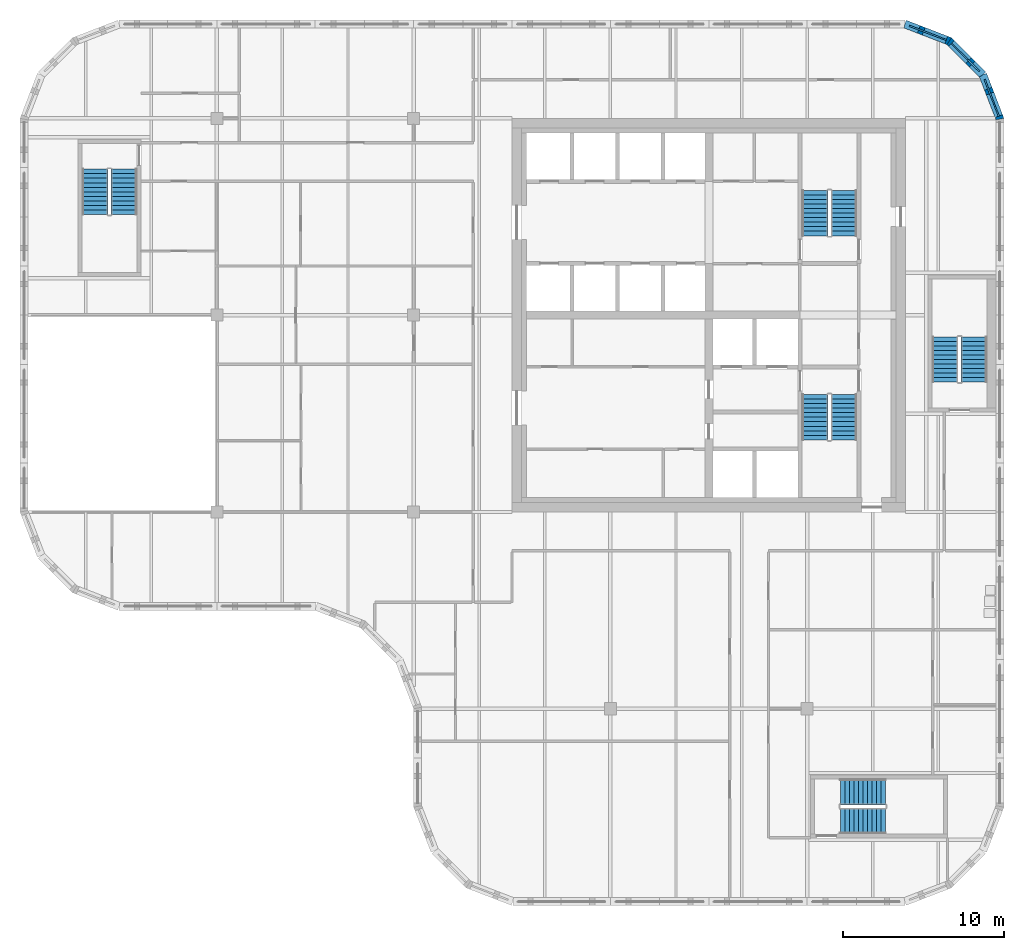
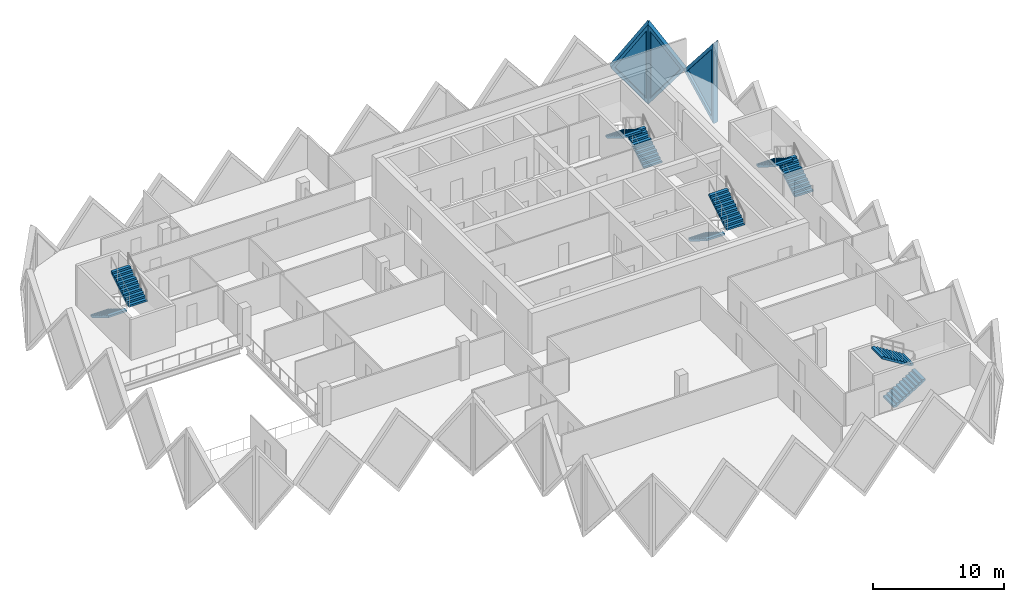
# One storey, part 10 of 12: 10 stair flights, 3 plates, 3 walls, 3 openings, 5 elements without a shape of their own.
"""IFC4 building model written with IfcOpenShell, lengths in metres."""

from ifc_helpers import new_model, si_unit, direction, frame, origin, place, context, subcontext, project, spatial, polyline, outline, extrude, faceted_brep, source, transform, mapped, material, layer, layer_set, type_object, element, fill, aggregate, save


model = new_model("IFC4")

# Units and contexts
model_context = context("Model", 3, precision=1e-05, world=origin(), true_north=direction((0.0, 1.0)))
body_context = subcontext(model_context, "Body", "Model", "MODEL_VIEW")
ifc_project = project(units=[si_unit("LENGTHUNIT", "METRE"), si_unit("AREAUNIT", "SQUARE_METRE"), si_unit("VOLUMEUNIT", "CUBIC_METRE"), si_unit("PLANEANGLEUNIT", "RADIAN"), si_unit("MASSUNIT", "GRAM", prefix="KILO")], contexts=[model_context])

# Site, building, storey
site_placement = place(None, origin())
site = spatial("IfcSite", under=ifc_project, at=site_placement, CompositionType="ELEMENT")
building_placement = place(site_placement, origin())
building = spatial("IfcBuilding", under=site, at=building_placement, Name="Tessera Gate Towers", CompositionType="ELEMENT")
storey_placement = place(building_placement, frame((0.0, 0.0, 182.0)))
storey = spatial("IfcBuildingStorey", under=building, at=storey_placement, Name="L45", CompositionType="ELEMENT", Elevation=182.0)

# Wall, opening, plate
ifc_material_1 = material(Name="Precast concrete C60/75 white", Category="concrete")
ifc_layer_1 = layer(ifc_material_1, 0.5)
ifc_layer_set_1 = layer_set([ifc_layer_1], Name="TS3 corner tessera")
wall_type = type_object("IfcWallType", Name="TS3 corner tessera", PredefinedType="SOLIDWALL", material=ifc_layer_set_1)
shared_shape_1 = source(origin(), body_context, "Body", "Brep", [
    faceted_brep([(0.046630859375, -0.25, 0.0), (2.9970703125, -0.25, 3.800048828125), (0.046630859375, -0.25, 7.60009765625), (0.0, -0.25, 7.541259765625), (0.0, -0.25, 0.058837890625), (0.09326171875, 0.25, 7.5400390625), (2.9443359375, 0.25, 3.8681640625), (2.9443359375, 0.25, 3.73193359375), (0.09326171875, 0.25, 0.06005859375), (2.9970703125, 0.00048828125, 3.800048828125), (0.046630859375, 0.0, 0.0), (0.046630859375, 0.0, 7.60009765625)], [[[0, 1, 2, 3, 4]], [[5, 6, 7, 8]], [[8, 7, 9, 1, 0, 10]], [[6, 5, 11, 2, 1, 9]], [[3, 2, 11]], [[10, 0, 4]], [[8, 10, 4, 3, 11, 5]], [[9, 7, 6]]]),
])
wall_1_placement = place(storey_placement, frame((60.766845703125, 48.7099609375, -3.800048828125), z_axis=(0.0, 0.0, 1.0), x_axis=(-0.359901446078, 0.932990326376, 0.0)))
wall_1 = element("IfcWall", 1, at=wall_1_placement, inside=storey, type_object=wall_type, Name="Precast corner tessera T1 TS3-1038", PredefinedType="SOLIDWALL", context=body_context, shape_type="MappedRepresentation", body=[
    mapped(shared_shape_1, transform((0.0, 0.0, 0.0), scale=1.0)),
])
shared_shape_2 = source(origin(), body_context, "Body", "SweptSolid", [
    extrude(outline(polyline([(0.24658203125, 0.665283203125), (2.6806640625, 3.800048828125), (0.24658203125, 6.934814453125), (0.24658203125, 0.665283203125)])), frame((0.0, 0.260009765625, 0.0), z_axis=(0.0, -1.0, 0.0), x_axis=(1.0, 0.0, 0.0)), (0.0, 0.0, 1.0), 0.52001953125),
])
opening_1_placement = place(wall_1_placement, origin())
opening_1 = element("IfcOpeningElement", 2, at=opening_1_placement, cuts=wall_1, Name="Opening T1-PL2-1613", PredefinedType="OPENING", context=body_context, shape_type="MappedRepresentation", body=[
    mapped(shared_shape_2, transform((0.0, 0.0, 0.0), scale=1.0)),
])
ifc_material_2 = material(Name="Low-e laminated glass", Category="glass")
ifc_layer_2 = layer(ifc_material_2, 0.06005859375)
ifc_layer_set_2 = layer_set([ifc_layer_2], Name="PL2 rhombic pane")
plate_type = type_object("IfcPlateType", Name="PL2 rhombic pane", PredefinedType="SHEET", material=ifc_layer_set_2)
shared_shape_3 = source(origin(), body_context, "Body", "SweptSolid", [
    extrude(outline(polyline([(0.24658203125, 0.665283203125), (2.6806640625, 3.800048828125), (0.24658203125, 6.934814453125), (0.24658203125, 0.665283203125)])), frame((0.0, 0.030029296875, 0.0), z_axis=(0.0, -1.0, 0.0), x_axis=(1.0, 0.0, 0.0)), (0.0, 0.0, 1.0), 0.06005859375),
])
plate_1_placement = place(opening_1_placement, origin())
plate_1 = element("IfcPlate", 3, at=plate_1_placement, inside=storey, type_object=plate_type, Name="Glass pane T1 PL2-1613", PredefinedType="SHEET", context=body_context, shape_type="MappedRepresentation", body=[
    mapped(shared_shape_3, transform((0.0, 0.0, 0.0), scale=1.0)),
])
fill(opening_1, plate_1)

shared_shape_4 = source(origin(), body_context, "Body", "Brep", [
    faceted_brep([(2.944091796875, -0.25, 0.0), (2.9970703125, -0.25, 0.068115234375), (2.9970703125, -0.25, 7.531982421875), (2.944091796875, -0.25, 7.60009765625), (0.0, -0.25, 3.800048828125), (0.052978515625, 0.25, 3.868408203125), (2.89111328125, 0.25, 7.531982421875), (2.89111328125, 0.25, 0.068115234375), (0.052978515625, 0.25, 3.731689453125), (2.944091796875, 0.000244140625, 0.0), (2.944091796875, 0.000244140625, 7.60009765625), (0.0, 0.0, 3.800048828125)], [[[0, 1, 2, 3, 4]], [[5, 6, 7, 8]], [[1, 0, 9]], [[10, 3, 2]], [[6, 5, 11, 4, 3, 10]], [[8, 7, 9, 0, 4, 11]], [[8, 11, 5]], [[1, 9, 7, 6, 10, 2]]]),
])
wall_2_placement = place(storey_placement, frame((59.68798828125, 51.50634765625, -3.800048828125), z_axis=(0.0, 0.0, 1.0), x_axis=(-0.707106781187, 0.707106781187, 0.0)))
wall_2 = element("IfcWall", 4, at=wall_2_placement, inside=storey, type_object=wall_type, Name="Precast corner tessera T1 TS3-1039", PredefinedType="SOLIDWALL", context=body_context, shape_type="MappedRepresentation", body=[
    mapped(shared_shape_4, transform((0.0, 0.0, 0.0), scale=1.0)),
])
shared_shape_5 = source(origin(), body_context, "Body", "SweptSolid", [
    extrude(outline(polyline([(2.744140625, 6.933837890625), (0.316162109375, 3.800048828125), (2.744140625, 0.666259765625), (2.744140625, 6.933837890625)])), frame((0.0, 0.260009765625, 0.0), z_axis=(0.0, -1.0, 0.0), x_axis=(1.0, 0.0, 0.0)), (0.0, 0.0, 1.0), 0.52001953125),
])
opening_2_placement = place(wall_2_placement, origin())
opening_2 = element("IfcOpeningElement", 5, at=opening_2_placement, cuts=wall_2, Name="Opening T1-PL2-1614", PredefinedType="OPENING", context=body_context, shape_type="MappedRepresentation", body=[
    mapped(shared_shape_5, transform((0.0, 0.0, 0.0), scale=1.0)),
])
shared_shape_6 = source(origin(), body_context, "Body", "SweptSolid", [
    extrude(outline(polyline([(2.744140625, 6.933837890625), (0.316162109375, 3.800048828125), (2.744140625, 0.666259765625), (2.744140625, 6.933837890625)])), frame((0.0, 0.030029296875, 0.0), z_axis=(0.0, -1.0, 0.0), x_axis=(1.0, 0.0, 0.0)), (0.0, 0.0, 1.0), 0.06005859375),
])
plate_2_placement = place(opening_2_placement, origin())
plate_2 = element("IfcPlate", 6, at=plate_2_placement, inside=storey, type_object=plate_type, Name="Glass pane T1 PL2-1614", PredefinedType="SHEET", context=body_context, shape_type="MappedRepresentation", body=[
    mapped(shared_shape_6, transform((0.0, 0.0, 0.0), scale=1.0)),
])
fill(opening_2, plate_2)

shared_shape_7 = source(origin(), body_context, "Body", "Brep", [
    faceted_brep([(0.052978515625, -0.25, 0.0), (3.00341796875, -0.25, 3.800048828125), (0.052978515625, -0.25, 7.60009765625), (0.0, -0.25, 7.53173828125), (0.0, -0.25, 0.068359375), (0.10595703125, 0.25, 7.531982421875), (2.95703125, 0.25, 3.85986328125), (2.95703125, 0.25, 3.740234375), (0.10595703125, 0.25, 0.068115234375), (3.00341796875, 0.00048828125, 3.800048828125), (0.052978515625, 0.0, 0.0), (0.052978515625, 0.0, 7.60009765625)], [[[0, 1, 2, 3, 4]], [[5, 6, 7, 8]], [[8, 7, 9, 1, 0, 10]], [[6, 5, 11, 2, 1, 9]], [[3, 2, 11]], [[10, 0, 4]], [[8, 10, 4, 3, 11, 5]], [[9, 7, 6]]]),
])
wall_3_placement = place(storey_placement, frame((57.65576171875, 53.569091796875, -3.800048828125), z_axis=(0.0, 0.0, 1.0), x_axis=(-0.933007896601, 0.359855894603, 0.0)))
wall_3 = element("IfcWall", 7, at=wall_3_placement, inside=storey, type_object=wall_type, Name="Precast corner tessera T1 TS3-1040", PredefinedType="SOLIDWALL", context=body_context, shape_type="MappedRepresentation", body=[
    mapped(shared_shape_7, transform((0.0, 0.0, 0.0), scale=1.0)),
])
shared_shape_8 = source(origin(), body_context, "Body", "SweptSolid", [
    extrude(outline(polyline([(0.2529296875, 0.665283203125), (2.68701171875, 3.800048828125), (0.2529296875, 6.934814453125), (0.2529296875, 0.665283203125)])), frame((0.0, 0.260009765625, 0.0), z_axis=(0.0, -1.0, 0.0), x_axis=(1.0, 0.0, 0.0)), (0.0, 0.0, 1.0), 0.52001953125),
])
opening_3_placement = place(wall_3_placement, origin())
opening_3 = element("IfcOpeningElement", 8, at=opening_3_placement, cuts=wall_3, Name="Opening T1-PL2-1615", PredefinedType="OPENING", context=body_context, shape_type="MappedRepresentation", body=[
    mapped(shared_shape_8, transform((0.0, 0.0, 0.0), scale=1.0)),
])
shared_shape_9 = source(origin(), body_context, "Body", "SweptSolid", [
    extrude(outline(polyline([(0.2529296875, 0.665283203125), (2.68701171875, 3.800048828125), (0.2529296875, 6.934814453125), (0.2529296875, 0.665283203125)])), frame((0.0, 0.030029296875, 0.0), z_axis=(0.0, -1.0, 0.0), x_axis=(1.0, 0.0, 0.0)), (0.0, 0.0, 1.0), 0.06005859375),
])
plate_3_placement = place(opening_3_placement, origin())
plate_3 = element("IfcPlate", 9, at=plate_3_placement, inside=storey, type_object=plate_type, Name="Glass pane T1 PL2-1615", PredefinedType="SHEET", context=body_context, shape_type="MappedRepresentation", body=[
    mapped(shared_shape_9, transform((0.0, 0.0, 0.0), scale=1.0)),
])
fill(opening_3, plate_3)

# Stair, stair flights
ifc_material_3 = material(Name="Concrete C40/50", Category="concrete")
stair_type_1 = type_object("IfcStairType", Name="EXIT STAIR ST1 1600", PredefinedType="HALF_TURN_STAIR", material=ifc_material_3)
stair_1_placement = place(storey_placement, origin())
stair_1 = element("IfcStair", 10, at=stair_1_placement, inside=storey, type_object=stair_type_1, Name="L45 Protected Exit Stair ST1", PredefinedType="HALF_TURN_STAIR")
ifc_material_4 = material(Name="Concrete C40/50", Category="concrete")
stair_flight_type_1 = type_object("IfcStairFlightType", Name="EXIT STAIR FLIGHT ST1 1600", PredefinedType="STRAIGHT", material=ifc_material_4)
stair_flight_1_placement = place(storey_placement, frame((49.27490234375, 31.675048828125, 0.0), z_axis=(0.0, 0.0, 1.0), x_axis=(0.0, -1.0, 0.0)))
stair_flight_1 = element("IfcStairFlight", 11, at=stair_flight_1_placement, type_object=stair_flight_type_1, Name="ST1 flight 1", NumberOfRisers=11, NumberOfTreads=10, PredefinedType="STRAIGHT", RiserHeight=0.172727273, TreadLength=0.28, context=body_context, shape_type="SweptSolid", body=[
    extrude(outline(polyline([(0.0, 0.0), (0.0, 0.172607421875), (0.280029296875, 0.172607421875), (0.280029296875, 0.345458984375), (0.56005859375, 0.345458984375), (0.56005859375, 0.51806640625), (0.840087890625, 0.51806640625), (0.840087890625, 0.69091796875), (1.1201171875, 0.69091796875), (1.1201171875, 0.863525390625), (1.39990234375, 0.863525390625), (1.39990234375, 1.036376953125), (1.679931640625, 1.036376953125), (1.679931640625, 1.208984375), (1.9599609375, 1.208984375), (1.9599609375, 1.3818359375), (2.239990234375, 1.3818359375), (2.239990234375, 1.554443359375), (2.52001953125, 1.554443359375), (2.52001953125, 1.727294921875), (2.800048828125, 1.727294921875), (2.800048828125, 1.89990234375), (2.800048828125, 1.551025390625), (0.285400390625, 0.0), (0.0, 0.0)])), frame((0.0, 0.800048828125, 0.0), z_axis=(0.0, -1.0, 0.0), x_axis=(1.0, 0.0, 0.0)), (0.0, 0.0, 1.0), 1.60009765625),
])
stair_flight_2_placement = place(storey_placement, frame((51.074951171875, 28.875, 1.89990234375), z_axis=(0.0, 0.0, 1.0), x_axis=(0.0, 1.0, 0.0)))
stair_flight_2 = element("IfcStairFlight", 12, at=stair_flight_2_placement, type_object=stair_flight_type_1, Name="ST1 flight 2", NumberOfRisers=11, NumberOfTreads=10, PredefinedType="STRAIGHT", RiserHeight=0.172727273, TreadLength=0.28, context=body_context, shape_type="SweptSolid", body=[
    extrude(outline(polyline([(0.0, 0.0), (0.0, 0.172607421875), (0.280029296875, 0.172607421875), (0.280029296875, 0.345458984375), (0.56005859375, 0.345458984375), (0.56005859375, 0.51806640625), (0.840087890625, 0.51806640625), (0.840087890625, 0.69091796875), (1.1201171875, 0.69091796875), (1.1201171875, 0.863525390625), (1.39990234375, 0.863525390625), (1.39990234375, 1.036376953125), (1.679931640625, 1.036376953125), (1.679931640625, 1.208984375), (1.9599609375, 1.208984375), (1.9599609375, 1.3818359375), (2.239990234375, 1.3818359375), (2.239990234375, 1.554443359375), (2.52001953125, 1.554443359375), (2.52001953125, 1.727294921875), (2.800048828125, 1.727294921875), (2.800048828125, 1.89990234375), (2.800048828125, 1.551025390625), (0.285400390625, 0.0), (0.0, 0.0)])), frame((0.0, 0.800048828125, 0.0), z_axis=(0.0, -1.0, 0.0), x_axis=(1.0, 0.0, 0.0)), (0.0, 0.0, 1.0), 1.60009765625),
])
aggregate(stair_1, [stair_flight_1, stair_flight_2])

ifc_material_5 = material(Name="Concrete C40/50", Category="concrete")
stair_type_2 = type_object("IfcStairType", Name="EXIT STAIR ST2 1600", PredefinedType="HALF_TURN_STAIR", material=ifc_material_5)
stair_2_placement = place(storey_placement, origin())
stair_2 = element("IfcStair", 13, at=stair_2_placement, inside=storey, type_object=stair_type_2, Name="L45 Protected Exit Stair ST2", PredefinedType="HALF_TURN_STAIR")
ifc_material_6 = material(Name="Concrete C40/50", Category="concrete")
stair_flight_type_2 = type_object("IfcStairFlightType", Name="EXIT STAIR FLIGHT ST2 1600", PredefinedType="STRAIGHT", material=ifc_material_6)
stair_flight_3_placement = place(storey_placement, frame((51.074951171875, 41.52490234375, 0.0), z_axis=(0.0, 0.0, 1.0), x_axis=(0.0, 1.0, 0.0)))
stair_flight_3 = element("IfcStairFlight", 14, at=stair_flight_3_placement, type_object=stair_flight_type_2, Name="ST2 flight 1", NumberOfRisers=11, NumberOfTreads=10, PredefinedType="STRAIGHT", RiserHeight=0.172727273, TreadLength=0.28, context=body_context, shape_type="SweptSolid", body=[
    extrude(outline(polyline([(0.0, 0.0), (0.0, 0.172607421875), (0.280029296875, 0.172607421875), (0.280029296875, 0.345458984375), (0.56005859375, 0.345458984375), (0.56005859375, 0.51806640625), (0.840087890625, 0.51806640625), (0.840087890625, 0.69091796875), (1.1201171875, 0.69091796875), (1.1201171875, 0.863525390625), (1.39990234375, 0.863525390625), (1.39990234375, 1.036376953125), (1.679931640625, 1.036376953125), (1.679931640625, 1.208984375), (1.9599609375, 1.208984375), (1.9599609375, 1.3818359375), (2.239990234375, 1.3818359375), (2.239990234375, 1.554443359375), (2.52001953125, 1.554443359375), (2.52001953125, 1.727294921875), (2.800048828125, 1.727294921875), (2.800048828125, 1.89990234375), (2.800048828125, 1.551025390625), (0.285400390625, 0.0), (0.0, 0.0)])), frame((0.0, 0.800048828125, 0.0), z_axis=(0.0, -1.0, 0.0), x_axis=(1.0, 0.0, 0.0)), (0.0, 0.0, 1.0), 1.60009765625),
])
stair_flight_4_placement = place(storey_placement, frame((49.27490234375, 44.324951171875, 1.89990234375), z_axis=(0.0, 0.0, 1.0), x_axis=(0.0, -1.0, 0.0)))
stair_flight_4 = element("IfcStairFlight", 15, at=stair_flight_4_placement, type_object=stair_flight_type_2, Name="ST2 flight 2", NumberOfRisers=11, NumberOfTreads=10, PredefinedType="STRAIGHT", RiserHeight=0.172727273, TreadLength=0.28, context=body_context, shape_type="SweptSolid", body=[
    extrude(outline(polyline([(0.0, 0.0), (0.0, 0.172607421875), (0.280029296875, 0.172607421875), (0.280029296875, 0.345458984375), (0.56005859375, 0.345458984375), (0.56005859375, 0.51806640625), (0.840087890625, 0.51806640625), (0.840087890625, 0.69091796875), (1.1201171875, 0.69091796875), (1.1201171875, 0.863525390625), (1.39990234375, 0.863525390625), (1.39990234375, 1.036376953125), (1.679931640625, 1.036376953125), (1.679931640625, 1.208984375), (1.9599609375, 1.208984375), (1.9599609375, 1.3818359375), (2.239990234375, 1.3818359375), (2.239990234375, 1.554443359375), (2.52001953125, 1.554443359375), (2.52001953125, 1.727294921875), (2.800048828125, 1.727294921875), (2.800048828125, 1.89990234375), (2.800048828125, 1.551025390625), (0.285400390625, 0.0), (0.0, 0.0)])), frame((0.0, 0.800048828125, 0.0), z_axis=(0.0, -1.0, 0.0), x_axis=(1.0, 0.0, 0.0)), (0.0, 0.0, 1.0), 1.60009765625),
])
aggregate(stair_2, [stair_flight_3, stair_flight_4])

ifc_material_7 = material(Name="Concrete C40/50", Category="concrete")
stair_type_3 = type_object("IfcStairType", Name="EXIT STAIR ST3 1600", PredefinedType="HALF_TURN_STAIR", material=ifc_material_7)
stair_3_placement = place(storey_placement, origin())
stair_3 = element("IfcStair", 16, at=stair_3_placement, inside=storey, type_object=stair_type_3, Name="L45 West Exit Stair ST3", PredefinedType="HALF_TURN_STAIR")
ifc_material_8 = material(Name="Concrete C40/50", Category="concrete")
stair_flight_type_3 = type_object("IfcStairFlightType", Name="EXIT STAIR FLIGHT ST3 1600", PredefinedType="STRAIGHT", material=ifc_material_8)
stair_flight_5_placement = place(storey_placement, frame((4.64990234375, 45.64990234375, 0.0), z_axis=(0.0, 0.0, 1.0), x_axis=(0.0, -1.0, 0.0)))
stair_flight_5 = element("IfcStairFlight", 17, at=stair_flight_5_placement, type_object=stair_flight_type_3, Name="ST3 flight 1", NumberOfRisers=11, NumberOfTreads=10, PredefinedType="STRAIGHT", RiserHeight=0.172727273, TreadLength=0.28, context=body_context, shape_type="SweptSolid", body=[
    extrude(outline(polyline([(0.0, 0.0), (0.0, 0.172607421875), (0.280029296875, 0.172607421875), (0.280029296875, 0.345458984375), (0.56005859375, 0.345458984375), (0.56005859375, 0.51806640625), (0.840087890625, 0.51806640625), (0.840087890625, 0.69091796875), (1.1201171875, 0.69091796875), (1.1201171875, 0.863525390625), (1.39990234375, 0.863525390625), (1.39990234375, 1.036376953125), (1.679931640625, 1.036376953125), (1.679931640625, 1.208984375), (1.9599609375, 1.208984375), (1.9599609375, 1.3818359375), (2.239990234375, 1.3818359375), (2.239990234375, 1.554443359375), (2.52001953125, 1.554443359375), (2.52001953125, 1.727294921875), (2.800048828125, 1.727294921875), (2.800048828125, 1.89990234375), (2.800048828125, 1.551025390625), (0.285400390625, 0.0), (0.0, 0.0)])), frame((0.0, 0.800048828125, 0.0), z_axis=(0.0, -1.0, 0.0), x_axis=(1.0, 0.0, 0.0)), (0.0, 0.0, 1.0), 1.60009765625),
])
stair_flight_6_placement = place(storey_placement, frame((6.449951171875, 42.85009765625, 1.89990234375), z_axis=(0.0, 0.0, 1.0), x_axis=(0.0, 1.0, 0.0)))
stair_flight_6 = element("IfcStairFlight", 18, at=stair_flight_6_placement, type_object=stair_flight_type_3, Name="ST3 flight 2", NumberOfRisers=11, NumberOfTreads=10, PredefinedType="STRAIGHT", RiserHeight=0.172727273, TreadLength=0.28, context=body_context, shape_type="SweptSolid", body=[
    extrude(outline(polyline([(0.0, 0.0), (0.0, 0.172607421875), (0.280029296875, 0.172607421875), (0.280029296875, 0.345458984375), (0.56005859375, 0.345458984375), (0.56005859375, 0.51806640625), (0.840087890625, 0.51806640625), (0.840087890625, 0.69091796875), (1.1201171875, 0.69091796875), (1.1201171875, 0.863525390625), (1.39990234375, 0.863525390625), (1.39990234375, 1.036376953125), (1.679931640625, 1.036376953125), (1.679931640625, 1.208984375), (1.9599609375, 1.208984375), (1.9599609375, 1.3818359375), (2.239990234375, 1.3818359375), (2.239990234375, 1.554443359375), (2.52001953125, 1.554443359375), (2.52001953125, 1.727294921875), (2.800048828125, 1.727294921875), (2.800048828125, 1.89990234375), (2.800048828125, 1.551025390625), (0.285400390625, 0.0), (0.0, 0.0)])), frame((0.0, 0.800048828125, 0.0), z_axis=(0.0, -1.0, 0.0), x_axis=(1.0, 0.0, 0.0)), (0.0, 0.0, 1.0), 1.60009765625),
])
aggregate(stair_3, [stair_flight_5, stair_flight_6])

ifc_material_9 = material(Name="Concrete C40/50", Category="concrete")
stair_type_4 = type_object("IfcStairType", Name="EXIT STAIR ST4 1600", PredefinedType="HALF_TURN_STAIR", material=ifc_material_9)
stair_4_placement = place(storey_placement, origin())
stair_4 = element("IfcStair", 19, at=stair_4_placement, inside=storey, type_object=stair_type_4, Name="L45 South Exit Stair ST4", PredefinedType="HALF_TURN_STAIR")
ifc_material_10 = material(Name="Concrete C40/50", Category="concrete")
stair_flight_type_4 = type_object("IfcStairFlightType", Name="EXIT STAIR FLIGHT ST4 1600", PredefinedType="STRAIGHT", material=ifc_material_10)
stair_flight_7_placement = place(storey_placement, frame((50.85009765625, 5.25, 0.0), z_axis=(0.0, 0.0, 1.0), x_axis=(1.0, 0.0, 0.0)))
stair_flight_7 = element("IfcStairFlight", 20, at=stair_flight_7_placement, type_object=stair_flight_type_4, Name="ST4 flight 1", NumberOfRisers=11, NumberOfTreads=10, PredefinedType="STRAIGHT", RiserHeight=0.172727273, TreadLength=0.28, context=body_context, shape_type="SweptSolid", body=[
    extrude(outline(polyline([(0.0, 0.0), (0.0, 0.172607421875), (0.280029296875, 0.172607421875), (0.280029296875, 0.345458984375), (0.56005859375, 0.345458984375), (0.56005859375, 0.51806640625), (0.840087890625, 0.51806640625), (0.840087890625, 0.69091796875), (1.1201171875, 0.69091796875), (1.1201171875, 0.863525390625), (1.39990234375, 0.863525390625), (1.39990234375, 1.036376953125), (1.679931640625, 1.036376953125), (1.679931640625, 1.208984375), (1.9599609375, 1.208984375), (1.9599609375, 1.3818359375), (2.239990234375, 1.3818359375), (2.239990234375, 1.554443359375), (2.52001953125, 1.554443359375), (2.52001953125, 1.727294921875), (2.800048828125, 1.727294921875), (2.800048828125, 1.89990234375), (2.800048828125, 1.551025390625), (0.285400390625, 0.0), (0.0, 0.0)])), frame((0.0, 0.800048828125, 0.0), z_axis=(0.0, -1.0, 0.0), x_axis=(1.0, 0.0, 0.0)), (0.0, 0.0, 1.0), 1.60009765625),
])
stair_flight_8_placement = place(storey_placement, frame((53.64990234375, 7.050048828125, 1.89990234375), z_axis=(0.0, 0.0, 1.0), x_axis=(-1.0, 0.0, 0.0)))
stair_flight_8 = element("IfcStairFlight", 21, at=stair_flight_8_placement, type_object=stair_flight_type_4, Name="ST4 flight 2", NumberOfRisers=11, NumberOfTreads=10, PredefinedType="STRAIGHT", RiserHeight=0.172727273, TreadLength=0.28, context=body_context, shape_type="SweptSolid", body=[
    extrude(outline(polyline([(0.0, 0.0), (0.0, 0.172607421875), (0.280029296875, 0.172607421875), (0.280029296875, 0.345458984375), (0.56005859375, 0.345458984375), (0.56005859375, 0.51806640625), (0.840087890625, 0.51806640625), (0.840087890625, 0.69091796875), (1.1201171875, 0.69091796875), (1.1201171875, 0.863525390625), (1.39990234375, 0.863525390625), (1.39990234375, 1.036376953125), (1.679931640625, 1.036376953125), (1.679931640625, 1.208984375), (1.9599609375, 1.208984375), (1.9599609375, 1.3818359375), (2.239990234375, 1.3818359375), (2.239990234375, 1.554443359375), (2.52001953125, 1.554443359375), (2.52001953125, 1.727294921875), (2.800048828125, 1.727294921875), (2.800048828125, 1.89990234375), (2.800048828125, 1.551025390625), (0.285400390625, 0.0), (0.0, 0.0)])), frame((0.0, 0.800048828125, 0.0), z_axis=(0.0, -1.0, 0.0), x_axis=(1.0, 0.0, 0.0)), (0.0, 0.0, 1.0), 1.60009765625),
])
aggregate(stair_4, [stair_flight_7, stair_flight_8])

ifc_material_11 = material(Name="Concrete C40/50", Category="concrete")
stair_type_5 = type_object("IfcStairType", Name="EXIT STAIR ST5 1600", PredefinedType="HALF_TURN_STAIR", material=ifc_material_11)
stair_5_placement = place(storey_placement, origin())
stair_5 = element("IfcStair", 22, at=stair_5_placement, inside=storey, type_object=stair_type_5, Name="L45 East Exit Stair ST5", PredefinedType="HALF_TURN_STAIR")
ifc_material_12 = material(Name="Concrete C40/50", Category="concrete")
stair_flight_type_5 = type_object("IfcStairFlightType", Name="EXIT STAIR FLIGHT ST5 1600", PredefinedType="STRAIGHT", material=ifc_material_12)
stair_flight_9_placement = place(storey_placement, frame((59.14990234375, 32.449951171875, 0.0), z_axis=(0.0, 0.0, 1.0), x_axis=(0.0, 1.0, 0.0)))
stair_flight_9 = element("IfcStairFlight", 23, at=stair_flight_9_placement, type_object=stair_flight_type_5, Name="ST5 flight 1", NumberOfRisers=11, NumberOfTreads=10, PredefinedType="STRAIGHT", RiserHeight=0.172727273, TreadLength=0.28, context=body_context, shape_type="SweptSolid", body=[
    extrude(outline(polyline([(0.0, 0.0), (0.0, 0.172607421875), (0.280029296875, 0.172607421875), (0.280029296875, 0.345458984375), (0.56005859375, 0.345458984375), (0.56005859375, 0.51806640625), (0.840087890625, 0.51806640625), (0.840087890625, 0.69091796875), (1.1201171875, 0.69091796875), (1.1201171875, 0.863525390625), (1.39990234375, 0.863525390625), (1.39990234375, 1.036376953125), (1.679931640625, 1.036376953125), (1.679931640625, 1.208984375), (1.9599609375, 1.208984375), (1.9599609375, 1.3818359375), (2.239990234375, 1.3818359375), (2.239990234375, 1.554443359375), (2.52001953125, 1.554443359375), (2.52001953125, 1.727294921875), (2.800048828125, 1.727294921875), (2.800048828125, 1.89990234375), (2.800048828125, 1.551025390625), (0.285400390625, 0.0), (0.0, 0.0)])), frame((0.0, 0.800048828125, 0.0), z_axis=(0.0, -1.0, 0.0), x_axis=(1.0, 0.0, 0.0)), (0.0, 0.0, 1.0), 1.60009765625),
])
stair_flight_10_placement = place(storey_placement, frame((57.35009765625, 35.25, 1.89990234375), z_axis=(0.0, 0.0, 1.0), x_axis=(0.0, -1.0, 0.0)))
stair_flight_10 = element("IfcStairFlight", 24, at=stair_flight_10_placement, type_object=stair_flight_type_5, Name="ST5 flight 2", NumberOfRisers=11, NumberOfTreads=10, PredefinedType="STRAIGHT", RiserHeight=0.172727273, TreadLength=0.28, context=body_context, shape_type="SweptSolid", body=[
    extrude(outline(polyline([(0.0, 0.0), (0.0, 0.172607421875), (0.280029296875, 0.172607421875), (0.280029296875, 0.345458984375), (0.56005859375, 0.345458984375), (0.56005859375, 0.51806640625), (0.840087890625, 0.51806640625), (0.840087890625, 0.69091796875), (1.1201171875, 0.69091796875), (1.1201171875, 0.863525390625), (1.39990234375, 0.863525390625), (1.39990234375, 1.036376953125), (1.679931640625, 1.036376953125), (1.679931640625, 1.208984375), (1.9599609375, 1.208984375), (1.9599609375, 1.3818359375), (2.239990234375, 1.3818359375), (2.239990234375, 1.554443359375), (2.52001953125, 1.554443359375), (2.52001953125, 1.727294921875), (2.800048828125, 1.727294921875), (2.800048828125, 1.89990234375), (2.800048828125, 1.551025390625), (0.285400390625, 0.0), (0.0, 0.0)])), frame((0.0, 0.800048828125, 0.0), z_axis=(0.0, -1.0, 0.0), x_axis=(1.0, 0.0, 0.0)), (0.0, 0.0, 1.0), 1.60009765625),
])
aggregate(stair_5, [stair_flight_9, stair_flight_10])

save(model, "model.ifc")
